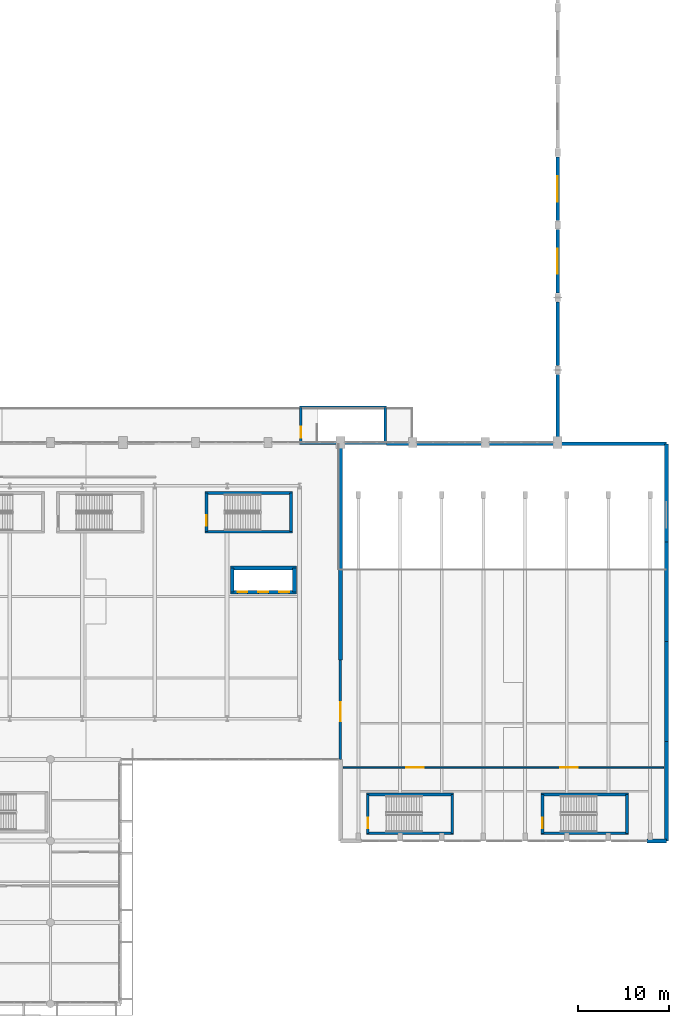
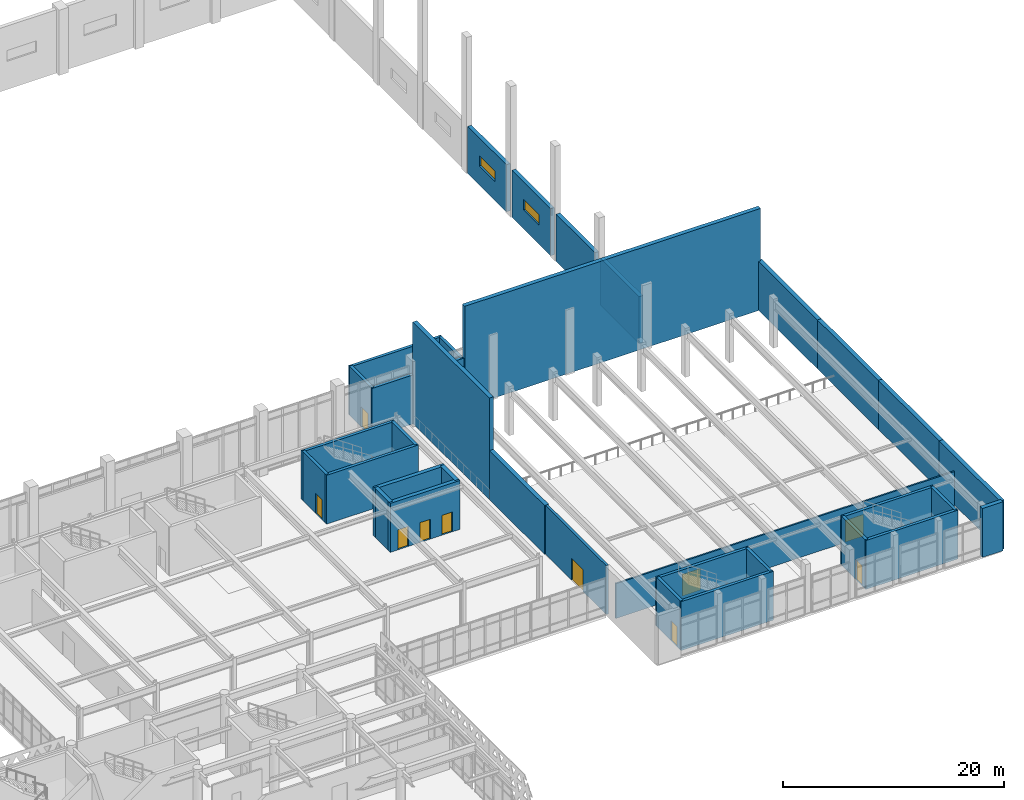
# One storey, part 68 of 84: 34 walls, 10 doors, 2 windows, 12 openings.
"""IFC4 building model written with IfcOpenShell, lengths in metres."""

from ifc_helpers import new_model, si_unit, direction, frame, frame_2d, origin, place, context, subcontext, project, spatial, rectangle, extrude, material, layer, layer_set, type_object, element, fill, save


model = new_model("IFC4")

# Units and contexts
model_context = context("Model", 3, precision=1e-05, world=origin(), true_north=direction((0.0, 1.0)))
body_context = subcontext(model_context, "Body", "Model", "MODEL_VIEW")
ifc_project = project(units=[si_unit("LENGTHUNIT", "METRE"), si_unit("AREAUNIT", "SQUARE_METRE"), si_unit("VOLUMEUNIT", "CUBIC_METRE"), si_unit("PLANEANGLEUNIT", "RADIAN"), si_unit("MASSUNIT", "GRAM", prefix="KILO")], contexts=[model_context])

# Site, building, storey
site_placement = place(None, origin())
site = spatial("IfcSite", under=ifc_project, at=site_placement, CompositionType="ELEMENT")
building_placement = place(site_placement, origin())
building = spatial("IfcBuilding", under=site, at=building_placement, Name="Tlacozan Convention Centre", CompositionType="ELEMENT")
storey_placement = place(building_placement, frame((0.0, 0.0, 6.0)))
storey = spatial("IfcBuildingStorey", under=building, at=storey_placement, Name="L01", CompositionType="ELEMENT", Elevation=6.0)

# Walls
ifc_material_1 = material(Name="Concrete C40/50", Category="concrete")
ifc_layer_1 = layer(ifc_material_1, 0.39990234375)
ifc_layer_set_1 = layer_set([ifc_layer_1], Name="Concrete C40/50")
wall_type_1 = type_object("IfcWallType", Name="Cantera Structural Hall Wall 400", PredefinedType="SOLIDWALL", material=ifc_layer_set_1)
for number, where, z_axis, x_axis, name in (
    (1, (168.0, 62.5, 0.0), (0.0, 0.0, 1.0), (0.0, 1.0, 0.0), "L01 Cantera Structural Hall Wall 400 72"),
    (2, (168.0, 70.5, 0.0), (0.0, 0.0, 1.0), (0.0, 1.0, 0.0), "L01 Cantera Structural Hall Wall 400 74"),
):
    element("IfcWall", number, at=place(storey_placement, frame(where, z_axis=z_axis, x_axis=x_axis)), inside=storey, type_object=wall_type_1, Name=name, PredefinedType="SOLIDWALL", context=body_context, shape_type="SweptSolid", body=[
        extrude(rectangle(XDim=7.0, YDim=0.39990234375, at=frame_2d((3.5, 0.0))), origin(), (0.0, 0.0, 1.0), 5.199951171875),
    ])

# Wall, opening, window
wall_1_placement = place(storey_placement, frame((168.0, 78.5, 0.0), z_axis=(0.0, 0.0, 1.0), x_axis=(0.0, 1.0, 0.0)))
wall_1 = element("IfcWall", 3, at=wall_1_placement, inside=storey, type_object=wall_type_1, Name="L01 Cantera Structural Hall Wall 400 76", PredefinedType="SOLIDWALL", context=body_context, shape_type="SweptSolid", body=[
    extrude(rectangle(XDim=7.0, YDim=0.39990234375, at=frame_2d((3.5, 0.0))), origin(), (0.0, 0.0, 1.0), 5.199951171875),
])
opening_1_placement = place(wall_1_placement, frame((2.10009765625, 0.0, 2.10009765625)))
opening_1 = element("IfcOpeningElement", 4, at=opening_1_placement, cuts=wall_1, Name="Opening WN-03", PredefinedType="OPENING", context=body_context, shape_type="SweptSolid", body=[
    extrude(rectangle(XDim=2.800048828125, YDim=1.14990234375, at=frame_2d((1.39990234375, 0.574951171875))), frame((0.0, 0.2099609375, 0.0), z_axis=(0.0, -1.0, 0.0), x_axis=(1.0, 0.0, 0.0)), (0.0, 0.0, 1.0), 0.419921875),
])
ifc_material_2 = material(Name="Solar Control Double Low-E Argon Glazing", Category="glass")
window_type = type_object("IfcWindowType", Name="Exhibition Gable Clerestory Window 2800x1150", PartitioningType="SINGLE_PANEL", PredefinedType="WINDOW", material=ifc_material_2)
window_1_placement = place(opening_1_placement, origin())
window_1 = element("IfcWindow", 5, at=window_1_placement, inside=storey, type_object=window_type, Name="L01 Exhibition Gable Clerestory Window 2800x1150 33", OverallHeight=1.14990234375, OverallWidth=2.800048828125, PartitioningType="SINGLE_PANEL", PredefinedType="WINDOW", context=body_context, shape_type="SweptSolid", body=[
    extrude(rectangle(XDim=2.800048828125, YDim=1.14990234375, at=frame_2d((1.39990234375, 0.574951171875))), frame((0.0, 0.030029296875, 0.0), z_axis=(0.0, -1.0, 0.0), x_axis=(1.0, 0.0, 0.0)), (0.0, 0.0, 1.0), 0.06005859375),
])
fill(opening_1, window_1)

wall_2_placement = place(storey_placement, frame((168.0, 86.5, 0.0), z_axis=(0.0, 0.0, 1.0), x_axis=(0.0, 1.0, 0.0)))
wall_2 = element("IfcWall", 6, at=wall_2_placement, inside=storey, type_object=wall_type_1, Name="L01 Cantera Structural Hall Wall 400 78", PredefinedType="SOLIDWALL", context=body_context, shape_type="SweptSolid", body=[
    extrude(rectangle(XDim=7.0, YDim=0.39990234375, at=frame_2d((3.5, 0.0))), origin(), (0.0, 0.0, 1.0), 5.199951171875),
])
opening_2_placement = place(wall_2_placement, frame((2.10009765625, 0.0, 2.10009765625)))
opening_2 = element("IfcOpeningElement", 7, at=opening_2_placement, cuts=wall_2, Name="Opening WN-03", PredefinedType="OPENING", context=body_context, shape_type="SweptSolid", body=[
    extrude(rectangle(XDim=2.800048828125, YDim=1.14990234375, at=frame_2d((1.39990234375, 0.574951171875))), frame((0.0, 0.2099609375, 0.0), z_axis=(0.0, -1.0, 0.0), x_axis=(1.0, 0.0, 0.0)), (0.0, 0.0, 1.0), 0.419921875),
])
window_2_placement = place(opening_2_placement, origin())
window_2 = element("IfcWindow", 8, at=window_2_placement, inside=storey, type_object=window_type, Name="L01 Exhibition Gable Clerestory Window 2800x1150 35", OverallHeight=1.14990234375, OverallWidth=2.800048828125, PartitioningType="SINGLE_PANEL", PredefinedType="WINDOW", context=body_context, shape_type="SweptSolid", body=[
    extrude(rectangle(XDim=2.800048828125, YDim=1.14990234375, at=frame_2d((1.39990234375, 0.574951171875))), frame((0.0, 0.030029296875, 0.0), z_axis=(0.0, -1.0, 0.0), x_axis=(1.0, 0.0, 0.0)), (0.0, 0.0, 1.0), 0.06005859375),
])
fill(opening_2, window_2)

# Wall, opening, door
ifc_layer_2 = layer(ifc_material_1, 0.260009765625)
ifc_layer_set_2 = layer_set([ifc_layer_2], Name="Concrete C40/50")
wall_type_2 = type_object("IfcWallType", Name="Compartment Rated Wall RC 260", PredefinedType="SOLIDWALL", material=ifc_layer_set_2)
wall_3_placement = place(storey_placement, frame((144.0, 27.0, 0.0), z_axis=(0.0, 0.0, 1.0), x_axis=(0.0, 1.0, 0.0)))
wall_3 = element("IfcWall", 9, at=wall_3_placement, inside=storey, type_object=wall_type_2, Name="L01 Compartment Rated Wall RC 260 620", PredefinedType="SOLIDWALL", context=body_context, shape_type="SweptSolid", body=[
    extrude(rectangle(XDim=11.0, YDim=0.260009765625, at=frame_2d((5.5, 0.0))), origin(), (0.0, 0.0, 1.0), 5.39990234375),
])
opening_3_placement = place(wall_3_placement, frame((4.199951171875, 0.0, 0.0)))
opening_3 = element("IfcOpeningElement", 10, at=opening_3_placement, cuts=wall_3, Name="Opening FD-04", PredefinedType="OPENING", context=body_context, shape_type="SweptSolid", body=[
    extrude(rectangle(XDim=2.10009765625, YDim=2.39990234375, at=frame_2d((1.050048828125, 1.199951171875))), frame((0.0, 0.139892578125, 0.0), z_axis=(0.0, -1.0, 0.0), x_axis=(1.0, 0.0, 0.0)), (0.0, 0.0, 1.0), 0.280029296875),
])
ifc_material_3 = material(Name="Fire-Rated Insulated Steel Door Leaf", Category="steel")
door_type_1 = type_object("IfcDoorType", Name="Fire Door Compartment Double 2100x2400 FD90", OperationType="DOUBLE_DOOR_SINGLE_SWING", PredefinedType="DOOR", material=ifc_material_3)
door_1_placement = place(opening_3_placement, origin())
door_1 = element("IfcDoor", 11, at=door_1_placement, inside=storey, type_object=door_type_1, Name="L01 Fire Door Compartment Double 2100x2400 FD90 217", OperationType="DOUBLE_DOOR_SINGLE_SWING", OverallHeight=2.39990234375, OverallWidth=2.10009765625, PredefinedType="DOOR", context=body_context, shape_type="SweptSolid", body=[
    extrude(rectangle(XDim=2.10009765625, YDim=2.39990234375, at=frame_2d((1.050048828125, 1.199951171875))), frame((0.0, 0.02490234375, 0.0), z_axis=(0.0, -1.0, 0.0), x_axis=(1.0, 0.0, 0.0)), (0.0, 0.0, 1.0), 0.050048828125),
])
fill(opening_3, door_1)

# Wall, openings, doors
ifc_layer_3 = layer(ifc_material_1, 0.409912109375)
ifc_layer_set_3 = layer_set([ifc_layer_3], Name="Concrete C40/50")
wall_type_3 = type_object("IfcWallType", Name="Core Shear Wall RC 410", PredefinedType="SHEAR", material=ifc_layer_set_3)
wall_4_placement = place(storey_placement, frame((131.85498046875, 45.4599609375, 0.0), z_axis=(0.0, 0.0, 1.0), x_axis=(1.0, 0.0, 0.0)))
wall_4 = element("IfcWall", 12, at=wall_4_placement, inside=storey, type_object=wall_type_3, Name="L01 Core Shear Wall RC 410 249", PredefinedType="SHEAR", context=body_context, shape_type="SweptSolid", body=[
    extrude(rectangle(XDim=7.2900390625, YDim=0.409912109375, at=frame_2d((3.64501953125, 0.0))), origin(), (0.0, 0.0, 1.0), 5.39990234375),
])
opening_4_placement = place(wall_4_placement, frame((0.794921875, 0.0, 0.0)))
opening_4 = element("IfcOpeningElement", 13, at=opening_4_placement, cuts=wall_4, Name="Opening LD-01", PredefinedType="OPENING", context=body_context, shape_type="SweptSolid", body=[
    extrude(rectangle(XDim=1.10009765625, YDim=2.199951171875, at=frame_2d((0.550048828125, 1.10009765625))), frame((0.0, 0.21484375, 0.0), z_axis=(0.0, -1.0, 0.0), x_axis=(1.0, 0.0, 0.0)), (0.0, 0.0, 1.0), 0.429931640625),
])
opening_5_placement = place(wall_4_placement, frame((3.094970703125, 0.0, 0.0)))
opening_5 = element("IfcOpeningElement", 14, at=opening_5_placement, cuts=wall_4, Name="Opening LD-01", PredefinedType="OPENING", context=body_context, shape_type="SweptSolid", body=[
    extrude(rectangle(XDim=1.10009765625, YDim=2.199951171875, at=frame_2d((0.550048828125, 1.10009765625))), frame((0.0, 0.21484375, 0.0), z_axis=(0.0, -1.0, 0.0), x_axis=(1.0, 0.0, 0.0)), (0.0, 0.0, 1.0), 0.429931640625),
])
opening_6_placement = place(wall_4_placement, frame((5.39501953125, 0.0, 0.0)))
opening_6 = element("IfcOpeningElement", 15, at=opening_6_placement, cuts=wall_4, Name="Opening LD-01", PredefinedType="OPENING", context=body_context, shape_type="SweptSolid", body=[
    extrude(rectangle(XDim=1.10009765625, YDim=2.199951171875, at=frame_2d((0.550048828125, 1.10009765625))), frame((0.0, 0.21484375, 0.0), z_axis=(0.0, -1.0, 0.0), x_axis=(1.0, 0.0, 0.0)), (0.0, 0.0, 1.0), 0.429931640625),
])
ifc_material_4 = material(Name="Brushed Stainless Steel Sliding Landing Door", Category="steel")
door_type_2 = type_object("IfcDoorType", Name="Lift Sliding Landing Door 1100x2200", OperationType="DOUBLE_DOOR_SLIDING", PredefinedType="DOOR", material=ifc_material_4)
door_2_placement = place(opening_4_placement, origin())
door_2 = element("IfcDoor", 16, at=door_2_placement, inside=storey, type_object=door_type_2, Name="L01 Lift PL-05 Landing Door", OperationType="DOUBLE_DOOR_SLIDING", OverallHeight=2.199951171875, OverallWidth=1.10009765625, PredefinedType="DOOR", context=body_context, shape_type="SweptSolid", body=[
    extrude(rectangle(XDim=1.10009765625, YDim=2.199951171875, at=frame_2d((0.550048828125, 1.10009765625))), frame((0.0, 0.02490234375, 0.0), z_axis=(0.0, -1.0, 0.0), x_axis=(1.0, 0.0, 0.0)), (0.0, 0.0, 1.0), 0.050048828125),
])
fill(opening_4, door_2)
door_3_placement = place(opening_5_placement, origin())
door_3 = element("IfcDoor", 17, at=door_3_placement, inside=storey, type_object=door_type_2, Name="L01 Lift PL-06 Landing Door", OperationType="DOUBLE_DOOR_SLIDING", OverallHeight=2.199951171875, OverallWidth=1.10009765625, PredefinedType="DOOR", context=body_context, shape_type="SweptSolid", body=[
    extrude(rectangle(XDim=1.10009765625, YDim=2.199951171875, at=frame_2d((0.550048828125, 1.10009765625))), frame((0.0, 0.02490234375, 0.0), z_axis=(0.0, -1.0, 0.0), x_axis=(1.0, 0.0, 0.0)), (0.0, 0.0, 1.0), 0.050048828125),
])
fill(opening_5, door_3)
door_4_placement = place(opening_6_placement, origin())
door_4 = element("IfcDoor", 18, at=door_4_placement, inside=storey, type_object=door_type_2, Name="L01 Lift PL-07 Landing Door", OperationType="DOUBLE_DOOR_SLIDING", OverallHeight=2.199951171875, OverallWidth=1.10009765625, PredefinedType="DOOR", context=body_context, shape_type="SweptSolid", body=[
    extrude(rectangle(XDim=1.10009765625, YDim=2.199951171875, at=frame_2d((0.550048828125, 1.10009765625))), frame((0.0, 0.02490234375, 0.0), z_axis=(0.0, -1.0, 0.0), x_axis=(1.0, 0.0, 0.0)), (0.0, 0.0, 1.0), 0.050048828125),
])
fill(opening_6, door_4)

# Walls
wall_5_placement = place(storey_placement, frame((131.85498046875, 48.139892578125, 0.0), z_axis=(0.0, 0.0, 1.0), x_axis=(1.0, 0.0, 0.0)))
element("IfcWall", 19, at=wall_5_placement, inside=storey, type_object=wall_type_3, Name="L01 Core Shear Wall RC 410 250", PredefinedType="SHEAR", context=body_context, shape_type="SweptSolid", body=[
    extrude(rectangle(XDim=7.2900390625, YDim=0.409912109375, at=frame_2d((3.64501953125, 0.0))), origin(), (0.0, 0.0, 1.0), 5.39990234375),
])
for number, where, z_axis, x_axis, name in (
    (20, (132.06005859375, 45.4599609375, 0.0), (0.0, 0.0, 1.0), (0.0, 1.0, 0.0), "L01 Core Shear Wall RC 410 251"),
    (21, (138.93994140625, 45.4599609375, 0.0), (0.0, 0.0, 1.0), (0.0, 1.0, 0.0), "L01 Core Shear Wall RC 410 252"),
):
    element("IfcWall", number, at=place(storey_placement, frame(where, z_axis=z_axis, x_axis=x_axis)), inside=storey, type_object=wall_type_3, Name=name, PredefinedType="SHEAR", context=body_context, shape_type="SweptSolid", body=[
        extrude(rectangle(XDim=2.679931640625, YDim=0.409912109375, at=frame_2d((1.33984375, 0.0))), origin(), (0.0, 0.0, 1.0), 5.39990234375),
    ])

# Wall, openings, doors
ifc_material_5 = material(Name="Acoustic Double-Stud Partition Assembly")
ifc_layer_4 = layer(ifc_material_5, 0.159912109375)
ifc_layer_set_4 = layer_set([ifc_layer_4], Name="Acoustic Double-Stud Partition Assembly")
wall_type_4 = type_object("IfcWallType", Name="Meeting Acoustic Partition 160", PredefinedType="PARTITIONING", material=ifc_layer_set_4)
wall_6_placement = place(storey_placement, frame((144.300048828125, 26.10009765625, 0.0), z_axis=(0.0, 0.0, 1.0), x_axis=(1.0, 0.0, 0.0)))
wall_6 = element("IfcWall", 22, at=wall_6_placement, inside=storey, type_object=wall_type_4, Name="L01 Meeting Acoustic Partition 160 621", PredefinedType="PARTITIONING", context=body_context, shape_type="SweptSolid", body=[
    extrude(rectangle(XDim=35.39990234375, YDim=0.159912109375, at=frame_2d((17.699951171875, 0.0))), origin(), (0.0, 0.0, 1.0), 3.85009765625),
])
opening_7_placement = place(wall_6_placement, frame((7.0, 0.0, 0.0)))
opening_7 = element("IfcOpeningElement", 23, at=opening_7_placement, cuts=wall_6, Name="Opening ID-09", PredefinedType="OPENING", context=body_context, shape_type="SweptSolid", body=[
    extrude(rectangle(XDim=1.89990234375, YDim=2.39990234375, at=frame_2d((0.949951171875, 1.199951171875))), frame((0.0, 0.08984375, 0.0), z_axis=(0.0, -1.0, 0.0), x_axis=(1.0, 0.0, 0.0)), (0.0, 0.0, 1.0), 0.179931640625),
])
opening_8_placement = place(wall_6_placement, frame((24.0, 0.0, 0.0)))
opening_8 = element("IfcOpeningElement", 24, at=opening_8_placement, cuts=wall_6, Name="Opening ID-09", PredefinedType="OPENING", context=body_context, shape_type="SweptSolid", body=[
    extrude(rectangle(XDim=1.89990234375, YDim=2.39990234375, at=frame_2d((0.949951171875, 1.199951171875))), frame((0.0, 0.08984375, 0.0), z_axis=(0.0, -1.0, 0.0), x_axis=(1.0, 0.0, 0.0)), (0.0, 0.0, 1.0), 0.179931640625),
])
ifc_material_6 = material(Name="Acoustic Solid-Core Oak Veneer Door")
door_type_3 = type_object("IfcDoorType", Name="Auditorium Vomitory Double Door 1900x2400", OperationType="DOUBLE_DOOR_SINGLE_SWING", PredefinedType="DOOR", material=ifc_material_6)
door_5_placement = place(opening_7_placement, origin())
door_5 = element("IfcDoor", 25, at=door_5_placement, inside=storey, type_object=door_type_3, Name="L01 Auditorium Vomitory Double Door 1900x2400 218", OperationType="DOUBLE_DOOR_SINGLE_SWING", OverallHeight=2.39990234375, OverallWidth=1.89990234375, PredefinedType="DOOR", context=body_context, shape_type="SweptSolid", body=[
    extrude(rectangle(XDim=1.89990234375, YDim=2.39990234375, at=frame_2d((0.949951171875, 1.199951171875))), frame((0.0, 0.02490234375, 0.0), z_axis=(0.0, -1.0, 0.0), x_axis=(1.0, 0.0, 0.0)), (0.0, 0.0, 1.0), 0.050048828125),
])
fill(opening_7, door_5)
door_6_placement = place(opening_8_placement, origin())
door_6 = element("IfcDoor", 26, at=door_6_placement, inside=storey, type_object=door_type_3, Name="L01 Auditorium Vomitory Double Door 1900x2400 219", OperationType="DOUBLE_DOOR_SINGLE_SWING", OverallHeight=2.39990234375, OverallWidth=1.89990234375, PredefinedType="DOOR", context=body_context, shape_type="SweptSolid", body=[
    extrude(rectangle(XDim=1.89990234375, YDim=2.39990234375, at=frame_2d((0.949951171875, 1.199951171875))), frame((0.0, 0.02490234375, 0.0), z_axis=(0.0, -1.0, 0.0), x_axis=(1.0, 0.0, 0.0)), (0.0, 0.0, 1.0), 0.050048828125),
])
fill(opening_8, door_6)

# Walls
ifc_layer_5 = layer(ifc_material_1, 0.429931640625)
ifc_layer_set_5 = layer_set([ifc_layer_5], Name="Concrete C40/50")
wall_type_5 = type_object("IfcWallType", Name="Plenary Acoustic Stone Wall 430", PredefinedType="SOLIDWALL", material=ifc_layer_set_5)
for number, where, z_axis, x_axis, name in (
    (27, (180.0, 18.0, 0.0), (0.0, 0.0, 1.0), (0.0, 1.0, 0.0), "L01 Plenary Acoustic Stone Wall 430 159"),
    (28, (180.0, 29.0, 0.0), (0.0, 0.0, 1.0), (0.0, 1.0, 0.0), "L01 Plenary Acoustic Stone Wall 430 162"),
    (29, (180.0, 40.0, 0.0), (0.0, 0.0, 1.0), (0.0, 1.0, 0.0), "L01 Plenary Acoustic Stone Wall 430 165"),
):
    element("IfcWall", number, at=place(storey_placement, frame(where, z_axis=z_axis, x_axis=x_axis)), inside=storey, type_object=wall_type_5, Name=name, PredefinedType="SOLIDWALL", context=body_context, shape_type="SweptSolid", body=[
        extrude(rectangle(XDim=11.0, YDim=0.429931640625, at=frame_2d((5.5, 0.0))), origin(), (0.0, 0.0, 1.0), 5.39990234375),
    ])
wall_7_placement = place(storey_placement, frame((180.0, 51.0, 0.0), z_axis=(0.0, 0.0, 1.0), x_axis=(0.0, 1.0, 0.0)))
element("IfcWall", 30, at=wall_7_placement, inside=storey, type_object=wall_type_5, Name="L01 Plenary Acoustic Stone Wall 430 168", PredefinedType="SOLIDWALL", context=body_context, shape_type="SweptSolid", body=[
    extrude(rectangle(XDim=10.85009765625, YDim=0.429931640625, at=frame_2d((5.425048828125, 0.0))), origin(), (0.0, 0.0, 1.0), 5.39990234375),
])
wall_8_placement = place(storey_placement, frame((149.10009765625, 61.85009765625, 0.0), z_axis=(0.0, 0.0, 1.0), x_axis=(1.0, 0.0, 0.0)))
element("IfcWall", 31, at=wall_8_placement, inside=storey, type_object=wall_type_5, Name="L01 Plenary Acoustic Stone Wall 430 171", PredefinedType="SOLIDWALL", context=body_context, shape_type="SweptSolid", body=[
    extrude(rectangle(XDim=30.89990234375, YDim=0.429931640625, at=frame_2d((15.449951171875, 0.0))), origin(), (0.0, 0.0, 1.0), 11.199951171875),
])
wall_9_placement = place(storey_placement, frame((177.85009765625, 18.0, 0.0), z_axis=(0.0, 0.0, 1.0), x_axis=(1.0, 0.0, 0.0)))
element("IfcWall", 32, at=wall_9_placement, inside=storey, type_object=wall_type_5, Name="L01 Plenary Acoustic Stone Wall 430 176", PredefinedType="SOLIDWALL", context=body_context, shape_type="SweptSolid", body=[
    extrude(rectangle(XDim=2.14990234375, YDim=0.429931640625, at=frame_2d((1.074951171875, 0.0))), origin(), (0.0, 0.0, 1.0), 5.39990234375),
])
wall_10_placement = place(storey_placement, frame((144.0, 48.0, 0.0), z_axis=(0.0, 0.0, 1.0), x_axis=(0.0, 1.0, 0.0)))
element("IfcWall", 33, at=wall_10_placement, inside=storey, type_object=wall_type_5, Name="L01 Plenary Acoustic Stone Wall 430 182", PredefinedType="SOLIDWALL", context=body_context, shape_type="SweptSolid", body=[
    extrude(rectangle(XDim=13.85009765625, YDim=0.429931640625, at=frame_2d((6.925048828125, 0.0))), origin(), (0.0, 0.0, 1.0), 11.199951171875),
])
wall_11_placement = place(storey_placement, frame((144.0, 38.0, 0.0), z_axis=(0.0, 0.0, 1.0), x_axis=(0.0, 1.0, 0.0)))
element("IfcWall", 34, at=wall_11_placement, inside=storey, type_object=wall_type_5, Name="L01 Plenary Acoustic Stone Wall 430 184", PredefinedType="SOLIDWALL", context=body_context, shape_type="SweptSolid", body=[
    extrude(rectangle(XDim=10.0, YDim=0.429931640625, at=frame_2d((5.0, 0.0))), origin(), (0.0, 0.0, 1.0), 5.39990234375),
])
ifc_layer_6 = layer(ifc_material_1, 0.31005859375)
ifc_layer_set_6 = layer_set([ifc_layer_6], Name="Concrete C40/50")
wall_type_6 = type_object("IfcWallType", Name="Stair Shaft Shear Wall RC 310", PredefinedType="SHEAR", material=ifc_layer_set_6)
for number, where, z_axis, x_axis, name in (
    (35, (129.0849609375, 52.139892578125, 0.0), (0.0, 0.0, 1.0), (1.0, 0.0, 0.0), "L01 Stair Shaft Shear Wall RC 310 245"),
    (36, (129.0849609375, 56.419921875, 0.0), (0.0, 0.0, 1.0), (1.0, 0.0, 0.0), "L01 Stair Shaft Shear Wall RC 310 246"),
):
    element("IfcWall", number, at=place(storey_placement, frame(where, z_axis=z_axis, x_axis=x_axis)), inside=storey, type_object=wall_type_6, Name=name, PredefinedType="SHEAR", context=body_context, shape_type="SweptSolid", body=[
        extrude(rectangle(XDim=9.630126953125, YDim=0.31005859375, at=frame_2d((4.81494140625, 0.0))), origin(), (0.0, 0.0, 1.0), 5.39990234375),
    ])

# Wall, opening, door
wall_12_placement = place(storey_placement, frame((129.239990234375, 52.139892578125, 0.0), z_axis=(0.0, 0.0, 1.0), x_axis=(0.0, 1.0, 0.0)))
wall_12 = element("IfcWall", 37, at=wall_12_placement, inside=storey, type_object=wall_type_6, Name="L01 Stair Shaft Shear Wall RC 310 247", PredefinedType="SHEAR", context=body_context, shape_type="SweptSolid", body=[
    extrude(rectangle(XDim=4.280029296875, YDim=0.31005859375, at=frame_2d((2.14013671875, 0.0))), origin(), (0.0, 0.0, 1.0), 5.39990234375),
])
opening_9_placement = place(wall_12_placement, frame((0.64990234375, 0.0, 0.0)))
opening_9 = element("IfcOpeningElement", 38, at=opening_9_placement, cuts=wall_12, Name="Opening FD-02", PredefinedType="OPENING", context=body_context, shape_type="SweptSolid", body=[
    extrude(rectangle(XDim=1.14990234375, YDim=2.199951171875, at=frame_2d((0.574951171875, 1.10009765625))), frame((0.0, 0.1650390625, 0.0), z_axis=(0.0, -1.0, 0.0), x_axis=(1.0, 0.0, 0.0)), (0.0, 0.0, 1.0), 0.330078125),
])
door_type_4 = type_object("IfcDoorType", Name="Fire Door Stair 1150x2200 FD90", OperationType="NOTDEFINED", PredefinedType="DOOR", material=ifc_material_3)
door_7_placement = place(opening_9_placement, origin())
door_7 = element("IfcDoor", 39, at=door_7_placement, inside=storey, type_object=door_type_4, Name="L01 Stair ST-03 Fire Door", OperationType="SINGLE_SWING_RIGHT", OverallHeight=2.199951171875, OverallWidth=1.14990234375, PredefinedType="DOOR", context=body_context, shape_type="SweptSolid", body=[
    extrude(rectangle(XDim=1.14990234375, YDim=2.199951171875, at=frame_2d((0.574951171875, 1.10009765625))), frame((0.0, 0.02490234375, 0.0), z_axis=(0.0, -1.0, 0.0), x_axis=(1.0, 0.0, 0.0)), (0.0, 0.0, 1.0), 0.050048828125),
])
fill(opening_9, door_7)

# Walls
wall_13_placement = place(storey_placement, frame((138.56005859375, 52.139892578125, 0.0), z_axis=(0.0, 0.0, 1.0), x_axis=(0.0, 1.0, 0.0)))
element("IfcWall", 40, at=wall_13_placement, inside=storey, type_object=wall_type_6, Name="L01 Stair Shaft Shear Wall RC 310 248", PredefinedType="SHEAR", context=body_context, shape_type="SweptSolid", body=[
    extrude(rectangle(XDim=4.280029296875, YDim=0.31005859375, at=frame_2d((2.14013671875, 0.0))), origin(), (0.0, 0.0, 1.0), 5.39990234375),
])
for number, where, z_axis, x_axis, name in (
    (41, (166.18505859375, 18.840087890625, 0.0), (0.0, 0.0, 1.0), (1.0, 0.0, 0.0), "L01 Stair Shaft Shear Wall RC 310 445"),
    (42, (166.18505859375, 23.1201171875, 0.0), (0.0, 0.0, 1.0), (1.0, 0.0, 0.0), "L01 Stair Shaft Shear Wall RC 310 446"),
):
    element("IfcWall", number, at=place(storey_placement, frame(where, z_axis=z_axis, x_axis=x_axis)), inside=storey, type_object=wall_type_6, Name=name, PredefinedType="SHEAR", context=body_context, shape_type="SweptSolid", body=[
        extrude(rectangle(XDim=9.6298828125, YDim=0.31005859375, at=frame_2d((4.81494140625, 0.0))), origin(), (0.0, 0.0, 1.0), 5.39990234375),
    ])

# Wall, opening, door
wall_14_placement = place(storey_placement, frame((166.340087890625, 18.840087890625, 0.0), z_axis=(0.0, 0.0, 1.0), x_axis=(0.0, 1.0, 0.0)))
wall_14 = element("IfcWall", 43, at=wall_14_placement, inside=storey, type_object=wall_type_6, Name="L01 Stair Shaft Shear Wall RC 310 447", PredefinedType="SHEAR", context=body_context, shape_type="SweptSolid", body=[
    extrude(rectangle(XDim=4.280029296875, YDim=0.31005859375, at=frame_2d((2.14013671875, 0.0))), origin(), (0.0, 0.0, 1.0), 5.39990234375),
])
opening_10_placement = place(wall_14_placement, frame((0.550048828125, 0.0, 0.0)))
opening_10 = element("IfcOpeningElement", 44, at=opening_10_placement, cuts=wall_14, Name="Opening FD-02", PredefinedType="OPENING", context=body_context, shape_type="SweptSolid", body=[
    extrude(rectangle(XDim=1.14990234375, YDim=2.199951171875, at=frame_2d((0.574951171875, 1.10009765625))), frame((0.0, 0.1650390625, 0.0), z_axis=(0.0, -1.0, 0.0), x_axis=(1.0, 0.0, 0.0)), (0.0, 0.0, 1.0), 0.330078125),
])
door_8_placement = place(opening_10_placement, origin())
door_8 = element("IfcDoor", 45, at=door_8_placement, inside=storey, type_object=door_type_4, Name="L01 Stair ST-07 Access Door", OperationType="SINGLE_SWING_RIGHT", OverallHeight=2.199951171875, OverallWidth=1.14990234375, PredefinedType="DOOR", context=body_context, shape_type="SweptSolid", body=[
    extrude(rectangle(XDim=1.14990234375, YDim=2.199951171875, at=frame_2d((0.574951171875, 1.10009765625))), frame((0.0, 0.02490234375, 0.0), z_axis=(0.0, -1.0, 0.0), x_axis=(1.0, 0.0, 0.0)), (0.0, 0.0, 1.0), 0.050048828125),
])
fill(opening_10, door_8)

# Walls
wall_15_placement = place(storey_placement, frame((175.659912109375, 18.840087890625, 0.0), z_axis=(0.0, 0.0, 1.0), x_axis=(0.0, 1.0, 0.0)))
element("IfcWall", 46, at=wall_15_placement, inside=storey, type_object=wall_type_6, Name="L01 Stair Shaft Shear Wall RC 310 448", PredefinedType="SHEAR", context=body_context, shape_type="SweptSolid", body=[
    extrude(rectangle(XDim=4.280029296875, YDim=0.31005859375, at=frame_2d((2.14013671875, 0.0))), origin(), (0.0, 0.0, 1.0), 5.39990234375),
])
for number, where, z_axis, x_axis, name in (
    (47, (146.885009765625, 18.840087890625, 0.0), (0.0, 0.0, 1.0), (1.0, 0.0, 0.0), "L01 Stair Shaft Shear Wall RC 310 461"),
    (48, (146.885009765625, 23.1201171875, 0.0), (0.0, 0.0, 1.0), (1.0, 0.0, 0.0), "L01 Stair Shaft Shear Wall RC 310 462"),
):
    element("IfcWall", number, at=place(storey_placement, frame(where, z_axis=z_axis, x_axis=x_axis)), inside=storey, type_object=wall_type_6, Name=name, PredefinedType="SHEAR", context=body_context, shape_type="SweptSolid", body=[
        extrude(rectangle(XDim=9.6298828125, YDim=0.31005859375, at=frame_2d((4.81494140625, 0.0))), origin(), (0.0, 0.0, 1.0), 5.39990234375),
    ])

# Wall, opening, door
wall_16_placement = place(storey_placement, frame((147.0400390625, 18.840087890625, 0.0), z_axis=(0.0, 0.0, 1.0), x_axis=(0.0, 1.0, 0.0)))
wall_16 = element("IfcWall", 49, at=wall_16_placement, inside=storey, type_object=wall_type_6, Name="L01 Stair Shaft Shear Wall RC 310 463", PredefinedType="SHEAR", context=body_context, shape_type="SweptSolid", body=[
    extrude(rectangle(XDim=4.280029296875, YDim=0.31005859375, at=frame_2d((2.14013671875, 0.0))), origin(), (0.0, 0.0, 1.0), 5.39990234375),
])
opening_11_placement = place(wall_16_placement, frame((0.550048828125, 0.0, 0.0)))
opening_11 = element("IfcOpeningElement", 50, at=opening_11_placement, cuts=wall_16, Name="Opening FD-02", PredefinedType="OPENING", context=body_context, shape_type="SweptSolid", body=[
    extrude(rectangle(XDim=1.14990234375, YDim=2.199951171875, at=frame_2d((0.574951171875, 1.10009765625))), frame((0.0, 0.1650390625, 0.0), z_axis=(0.0, -1.0, 0.0), x_axis=(1.0, 0.0, 0.0)), (0.0, 0.0, 1.0), 0.330078125),
])
door_9_placement = place(opening_11_placement, origin())
door_9 = element("IfcDoor", 51, at=door_9_placement, inside=storey, type_object=door_type_4, Name="L01 Stair ST-08 Access Door", OperationType="SINGLE_SWING_RIGHT", OverallHeight=2.199951171875, OverallWidth=1.14990234375, PredefinedType="DOOR", context=body_context, shape_type="SweptSolid", body=[
    extrude(rectangle(XDim=1.14990234375, YDim=2.199951171875, at=frame_2d((0.574951171875, 1.10009765625))), frame((0.0, 0.02490234375, 0.0), z_axis=(0.0, -1.0, 0.0), x_axis=(1.0, 0.0, 0.0)), (0.0, 0.0, 1.0), 0.050048828125),
])
fill(opening_11, door_9)

# Walls
wall_17_placement = place(storey_placement, frame((156.360107421875, 18.840087890625, 0.0), z_axis=(0.0, 0.0, 1.0), x_axis=(0.0, 1.0, 0.0)))
element("IfcWall", 52, at=wall_17_placement, inside=storey, type_object=wall_type_6, Name="L01 Stair Shaft Shear Wall RC 310 464", PredefinedType="SHEAR", context=body_context, shape_type="SweptSolid", body=[
    extrude(rectangle(XDim=4.280029296875, YDim=0.31005859375, at=frame_2d((2.14013671875, 0.0))), origin(), (0.0, 0.0, 1.0), 5.39990234375),
])
for number, where, z_axis, x_axis, name in (
    (53, (139.485107421875, 61.93994140625, 0.0), (0.0, 0.0, 1.0), (1.0, 0.0, 0.0), "L01 Stair Shaft Shear Wall RC 310 501"),
    (54, (139.485107421875, 65.860107421875, 0.0), (0.0, 0.0, 1.0), (1.0, 0.0, 0.0), "L01 Stair Shaft Shear Wall RC 310 502"),
):
    element("IfcWall", number, at=place(storey_placement, frame(where, z_axis=z_axis, x_axis=x_axis)), inside=storey, type_object=wall_type_6, Name=name, PredefinedType="SHEAR", context=body_context, shape_type="SweptSolid", body=[
        extrude(rectangle(XDim=9.6298828125, YDim=0.31005859375, at=frame_2d((4.81494140625, 0.0))), origin(), (0.0, 0.0, 1.0), 5.39990234375),
    ])

# Wall, opening, door
wall_18_placement = place(storey_placement, frame((139.639892578125, 61.93994140625, 0.0), z_axis=(0.0, 0.0, 1.0), x_axis=(0.0, 1.0, 0.0)))
wall_18 = element("IfcWall", 55, at=wall_18_placement, inside=storey, type_object=wall_type_6, Name="L01 Stair Shaft Shear Wall RC 310 503", PredefinedType="SHEAR", context=body_context, shape_type="SweptSolid", body=[
    extrude(rectangle(XDim=3.920166015625, YDim=0.31005859375, at=frame_2d((1.9599609375, 0.0))), origin(), (0.0, 0.0, 1.0), 5.39990234375),
])
opening_12_placement = place(wall_18_placement, frame((0.550048828125, 0.0, 0.0)))
opening_12 = element("IfcOpeningElement", 56, at=opening_12_placement, cuts=wall_18, Name="Opening FD-05", PredefinedType="OPENING", context=body_context, shape_type="SweptSolid", body=[
    extrude(rectangle(XDim=1.25, YDim=2.199951171875, at=frame_2d((0.625, 1.10009765625))), frame((0.0, 0.1650390625, 0.0), z_axis=(0.0, -1.0, 0.0), x_axis=(1.0, 0.0, 0.0)), (0.0, 0.0, 1.0), 0.330078125),
])
door_type_5 = type_object("IfcDoorType", Name="Fire Door Wide Stair 1250x2200 FD90", OperationType="NOTDEFINED", PredefinedType="DOOR", material=ifc_material_3)
door_10_placement = place(opening_12_placement, origin())
door_10 = element("IfcDoor", 57, at=door_10_placement, inside=storey, type_object=door_type_5, Name="L01 Stair ST-11 Access Door", OperationType="SINGLE_SWING_RIGHT", OverallHeight=2.199951171875, OverallWidth=1.25, PredefinedType="DOOR", context=body_context, shape_type="SweptSolid", body=[
    extrude(rectangle(XDim=1.25, YDim=2.199951171875, at=frame_2d((0.625, 1.10009765625))), frame((0.0, 0.02490234375, 0.0), z_axis=(0.0, -1.0, 0.0), x_axis=(1.0, 0.0, 0.0)), (0.0, 0.0, 1.0), 0.050048828125),
])
fill(opening_12, door_10)

# Wall
wall_19_placement = place(storey_placement, frame((148.9599609375, 61.93994140625, 0.0), z_axis=(0.0, 0.0, 1.0), x_axis=(0.0, 1.0, 0.0)))
element("IfcWall", 58, at=wall_19_placement, inside=storey, type_object=wall_type_6, Name="L01 Stair Shaft Shear Wall RC 310 504", PredefinedType="SHEAR", context=body_context, shape_type="SweptSolid", body=[
    extrude(rectangle(XDim=3.920166015625, YDim=0.31005859375, at=frame_2d((1.9599609375, 0.0))), origin(), (0.0, 0.0, 1.0), 5.39990234375),
])

save(model, "model.ifc")
